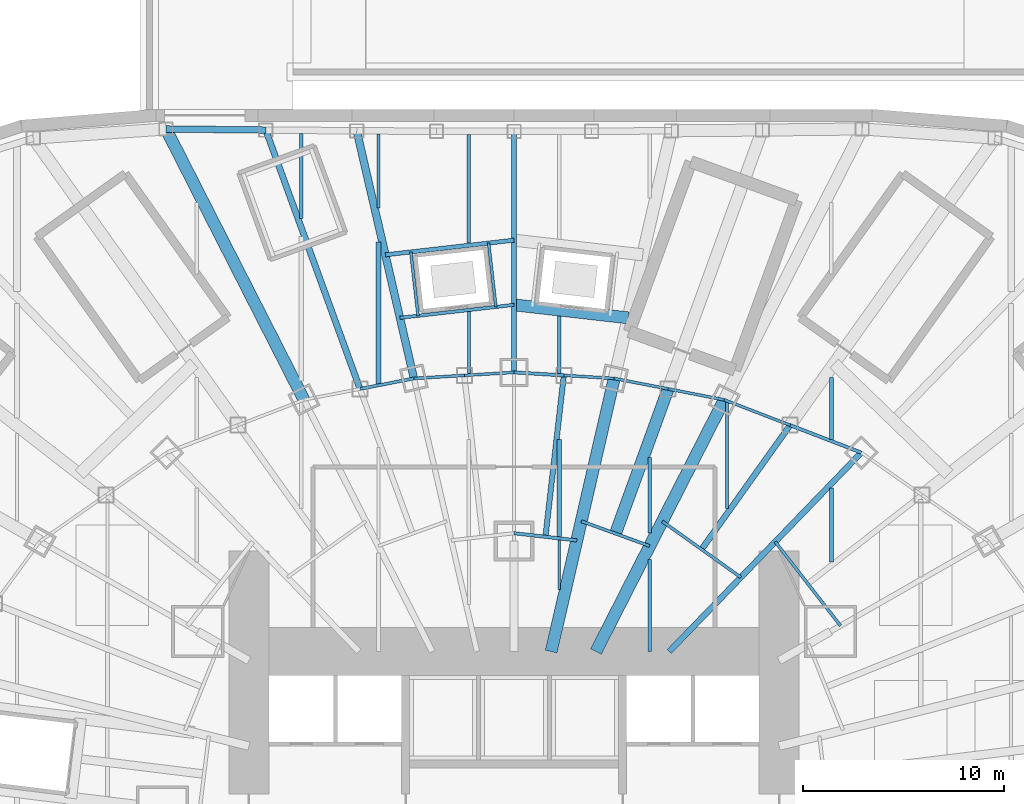
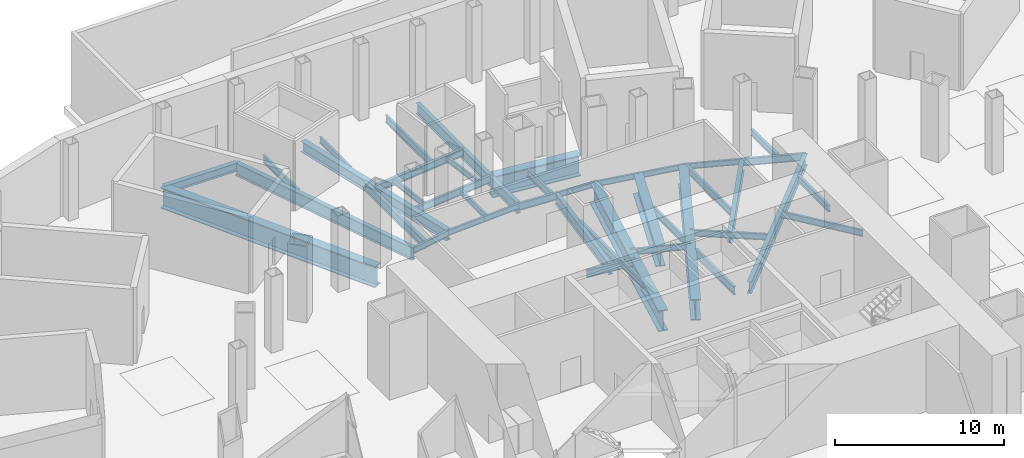
# One storey, part 6 of 19: 42 beams.
"""IFC4 building model written with IfcOpenShell, lengths in metres."""

from ifc_helpers import new_model, si_unit, direction, frame, origin, origin_2d, place, context, subcontext, project, spatial, i_section, extrude, material, material_profile, profile_set, type_object, element, save


model = new_model("IFC4")

# Units and contexts
model_context = context("Model", 3, precision=1e-05, world=origin(), true_north=direction((0.0, 1.0)))
body_context = subcontext(model_context, "Body", "Model", "MODEL_VIEW")
ifc_project = project(units=[si_unit("LENGTHUNIT", "METRE"), si_unit("AREAUNIT", "SQUARE_METRE"), si_unit("VOLUMEUNIT", "CUBIC_METRE"), si_unit("PLANEANGLEUNIT", "RADIAN"), si_unit("MASSUNIT", "GRAM", prefix="KILO")], contexts=[model_context])

# Site, building, storey
site_placement = place(None, origin())
site = spatial("IfcSite", under=ifc_project, at=site_placement, CompositionType="ELEMENT")
building_placement = place(site_placement, origin())
building = spatial("IfcBuilding", under=site, at=building_placement, Name="Lantaw Convention Tower", CompositionType="ELEMENT")
storey_placement = place(building_placement, frame((0.0, 0.0, -5.5)))
storey = spatial("IfcBuildingStorey", under=building, at=storey_placement, Name="B1", CompositionType="ELEMENT", Elevation=-5.5)

# Beams
ifc_material_1 = material(Name="Steel ASTM A992", Category="steel")
ifc_material_profile_1 = material_profile(ifc_material_1, i_section(OverallWidth=0.140380859375, OverallDepth=0.40380859375, WebThickness=0.007080078125, FlangeThickness=0.01123046875, FilletRadius=0.01025390625, at=origin_2d()), Name="W16X31")
ifc_profile_set_1 = profile_set([ifc_material_profile_1], Name="Steel ASTM A992")
beam_type_1 = type_object("IfcBeamType", Name="Beam E W16X31", PredefinedType="SPANDREL", material=ifc_profile_set_1)
beam_1_placement = place(storey_placement, frame((13.745361328125, 19.270263671875, -0.501953125), z_axis=(-0.933241815012, 0.359248820058, 0.0), x_axis=(-0.359248820058, -0.933241815012, 0.0)))
element("IfcBeam", 1, at=beam_1_placement, inside=storey, type_object=beam_type_1, Name="Edge beam 4", PredefinedType="SPANDREL", context=body_context, shape_type="SweptSolid", body=[
    extrude(i_section(OverallWidth=0.140380859375, OverallDepth=0.40380859375, WebThickness=0.007080078125, FlangeThickness=0.01123046875, FilletRadius=0.01025390625, at=origin_2d()), origin(), (0.0, 0.0, 1.0), 3.517578125),
])
beam_2_placement = place(storey_placement, frame((10.462646484375, 20.533935546875, -0.501953125), z_axis=(-0.98163593748, 0.190763954266, 0.0), x_axis=(-0.190763954266, -0.98163593748, 0.0)))
element("IfcBeam", 2, at=beam_2_placement, inside=storey, type_object=beam_type_1, Name="Edge beam 5", PredefinedType="SPANDREL", context=body_context, shape_type="SweptSolid", body=[
    extrude(i_section(OverallWidth=0.140380859375, OverallDepth=0.40380859375, WebThickness=0.007080078125, FlangeThickness=0.01123046875, FilletRadius=0.01025390625, at=origin_2d()), origin(), (0.0, 0.0, 1.0), 2.84375),
])
beam_3_placement = place(storey_placement, frame((7.671142578125, 21.076416015625, -0.501953125), z_axis=(-0.981637218105, 0.190757364289, 0.0), x_axis=(-0.190757364289, -0.981637218105, 0.0)))
element("IfcBeam", 3, at=beam_3_placement, inside=storey, type_object=beam_type_1, Name="Edge beam 5", PredefinedType="SPANDREL", context=body_context, shape_type="SweptSolid", body=[
    extrude(i_section(OverallWidth=0.140380859375, OverallDepth=0.40380859375, WebThickness=0.007080078125, FlangeThickness=0.01123046875, FilletRadius=0.01025390625, at=origin_2d()), origin(), (0.0, 0.0, 1.0), 2.735107421875),
])
beam_4_placement = place(storey_placement, frame((4.986328125, 21.59814453125, -0.501953125), z_axis=(-0.998172405641, 0.060430527186, 0.0), x_axis=(-0.060430527186, -0.998172405641, 0.0)))
element("IfcBeam", 4, at=beam_4_placement, inside=storey, type_object=beam_type_1, Name="Edge beam 6", PredefinedType="SPANDREL", context=body_context, shape_type="SweptSolid", body=[
    extrude(i_section(OverallWidth=0.140380859375, OverallDepth=0.40380859375, WebThickness=0.007080078125, FlangeThickness=0.01123046875, FilletRadius=0.01025390625, at=origin_2d()), origin(), (0.0, 0.0, 1.0), 2.512939453125),
])
beam_5_placement = place(storey_placement, frame((0.0, 21.89990234375, -0.501953125), z_axis=(-0.998175328335, -0.060382231685, 0.0), x_axis=(0.060382231685, -0.998175328335, 0.0)))
element("IfcBeam", 5, at=beam_5_placement, inside=storey, type_object=beam_type_1, Name="Edge beam 7", PredefinedType="SPANDREL", context=body_context, shape_type="SweptSolid", body=[
    extrude(i_section(OverallWidth=0.140380859375, OverallDepth=0.40380859375, WebThickness=0.007080078125, FlangeThickness=0.01123046875, FilletRadius=0.01025390625, at=origin_2d()), origin(), (0.0, 0.0, 1.0), 2.482666015625),
])
beam_6_placement = place(storey_placement, frame((-2.47802734375, 21.75, -0.501953125), z_axis=(-0.998172405641, -0.060430527186, 0.0), x_axis=(0.060430527186, -0.998172405641, 0.0)))
element("IfcBeam", 6, at=beam_6_placement, inside=storey, type_object=beam_type_1, Name="Edge beam 7", PredefinedType="SPANDREL", context=body_context, shape_type="SweptSolid", body=[
    extrude(i_section(OverallWidth=0.140380859375, OverallDepth=0.40380859375, WebThickness=0.007080078125, FlangeThickness=0.01123046875, FilletRadius=0.01025390625, at=origin_2d()), origin(), (0.0, 0.0, 1.0), 2.512939453125),
])
ifc_material_profile_2 = material_profile(ifc_material_1, i_section(OverallWidth=0.15234375, OverallDepth=0.449462890625, WebThickness=0.007568359375, FlangeThickness=0.0107421875, FilletRadius=0.01025390625, at=origin_2d()), Name="W18X35")
ifc_profile_set_2 = profile_set([ifc_material_profile_2], Name="Steel ASTM A992")
beam_type_2 = type_object("IfcBeamType", Name="Beam E W18X35", PredefinedType="SPANDREL", material=ifc_profile_set_2)
beam_7_placement = place(storey_placement, frame((-4.986328125, 21.59814453125, -0.52490234375), z_axis=(-0.981637218105, -0.190757364289, 0.0), x_axis=(0.190757364289, -0.981637218105, 0.0)))
element("IfcBeam", 7, at=beam_7_placement, inside=storey, type_object=beam_type_2, Name="Edge beam 8", PredefinedType="SPANDREL", context=body_context, shape_type="SweptSolid", body=[
    extrude(i_section(OverallWidth=0.15234375, OverallDepth=0.449462890625, WebThickness=0.007568359375, FlangeThickness=0.0107421875, FilletRadius=0.01025390625, at=origin_2d()), origin(), (0.0, 0.0, 1.0), 2.735107421875),
])
ifc_material_profile_3 = material_profile(ifc_material_1, i_section(OverallWidth=0.1650390625, OverallDepth=0.52587890625, WebThickness=0.0087890625, FlangeThickness=0.011474609375, FilletRadius=0.0126953125, at=origin_2d()), Name="W21X44")
ifc_profile_set_3 = profile_set([ifc_material_profile_3], Name="Steel ASTM A992")
beam_type_3 = type_object("IfcBeamType", Name="Beam E W21X44", PredefinedType="SPANDREL", material=ifc_profile_set_3)
beam_8_placement = place(storey_placement, frame((17.290771484375, 17.9052734375, -0.56298828125), z_axis=(-0.933224646415, 0.359293416754, 0.0), x_axis=(-0.359293416754, -0.933224646415, 0.0)))
element("IfcBeam", 8, at=beam_8_placement, inside=storey, type_object=beam_type_3, Name="Edge beam 4", PredefinedType="SPANDREL", context=body_context, shape_type="SweptSolid", body=[
    extrude(i_section(OverallWidth=0.1650390625, OverallDepth=0.52587890625, WebThickness=0.0087890625, FlangeThickness=0.011474609375, FilletRadius=0.0126953125, at=origin_2d()), origin(), (0.0, 0.0, 1.0), 3.799072265625),
])
beam_9_placement = place(storey_placement, frame((2.47802734375, 21.75, -0.56298828125), z_axis=(-0.998175328335, 0.060382231685, 0.0), x_axis=(-0.060382231685, -0.998175328335, 0.0)))
element("IfcBeam", 9, at=beam_9_placement, inside=storey, type_object=beam_type_3, Name="Edge beam 6", PredefinedType="SPANDREL", context=body_context, shape_type="SweptSolid", body=[
    extrude(i_section(OverallWidth=0.1650390625, OverallDepth=0.52587890625, WebThickness=0.0087890625, FlangeThickness=0.011474609375, FilletRadius=0.0126953125, at=origin_2d()), origin(), (0.0, 0.0, 1.0), 2.482666015625),
])
ifc_material_profile_4 = material_profile(ifc_material_1, i_section(OverallWidth=0.3251953125, OverallDepth=0.612060546875, WebThickness=0.0126953125, FlangeThickness=0.01904296875, FilletRadius=0.0126953125, at=origin_2d()), Name="W24X104")
ifc_profile_set_4 = profile_set([ifc_material_profile_4], Name="Steel ASTM A992")
beam_type_4 = type_object("IfcBeamType", Name="Beam E W24X104", PredefinedType="SPANDREL", material=ifc_profile_set_4)
beam_10_placement = place(storey_placement, frame((-12.36279296875, 33.96630859375, -0.60595703125), z_axis=(-0.999942166471, 0.010754706535, 0.0), x_axis=(-0.010754706535, -0.999942166471, 0.0)))
element("IfcBeam", 10, at=beam_10_placement, inside=storey, type_object=beam_type_4, Name="Podium edge beam B07", PredefinedType="SPANDREL", context=body_context, shape_type="SweptSolid", body=[
    extrude(i_section(OverallWidth=0.3251953125, OverallDepth=0.612060546875, WebThickness=0.0126953125, FlangeThickness=0.01904296875, FilletRadius=0.0126953125, at=origin_2d()), origin(), (0.0, 0.0, 1.0), 4.971435546875),
])
ifc_material_2 = material(Name="Steel ASTM A572 Grade 50", Category="steel")
ifc_material_profile_5 = material_profile(ifc_material_2, i_section(OverallWidth=0.60009765625, OverallDepth=1.5, WebThickness=0.02490234375, FlangeThickness=0.06005859375, at=origin_2d()), Name="PG1500X600X25X60")
ifc_profile_set_5 = profile_set([ifc_material_profile_5], Name="Steel ASTM A572 Grade 50")
beam_type_5 = type_object("IfcBeamType", Name="Beam G PG1500X600X25X60", PredefinedType="BEAM", material=ifc_profile_set_5)
beam_11_placement = place(storey_placement, frame((4.076171875, 8.0, -1.050048828125), z_axis=(0.453997016122, 0.891003203896, 0.0), x_axis=(-0.891003203896, 0.453997016122, 0.0)))
element("IfcBeam", 11, at=beam_11_placement, inside=storey, type_object=beam_type_5, Name="Floor girder on ray 5", PredefinedType="BEAM", context=body_context, shape_type="SweptSolid", body=[
    extrude(i_section(OverallWidth=0.60009765625, OverallDepth=1.5, WebThickness=0.02490234375, FlangeThickness=0.06005859375, at=origin_2d()), origin(), (0.0, 0.0, 1.0), 14.067138671875),
])
beam_12_placement = place(storey_placement, frame((5.04931640625, 13.873046875, -1.050048828125), z_axis=(0.342021781151, 0.939692024664, 0.0), x_axis=(-0.939692024664, 0.342021781151, 0.0)))
element("IfcBeam", 12, at=beam_12_placement, inside=storey, type_object=beam_type_5, Name="Floor girder on bisector 5", PredefinedType="BEAM", context=body_context, shape_type="SweptSolid", body=[
    extrude(i_section(OverallWidth=0.60009765625, OverallDepth=1.5, WebThickness=0.02490234375, FlangeThickness=0.06005859375, at=origin_2d()), origin(), (0.0, 0.0, 1.0), 7.665771484375),
])
beam_13_placement = place(storey_placement, frame((1.846923828125, 8.0, -1.050048828125), z_axis=(0.224952773175, 0.97436966796, 0.0), x_axis=(-0.97436966796, 0.224952773175, 0.0)))
element("IfcBeam", 13, at=beam_13_placement, inside=storey, type_object=beam_type_5, Name="Floor girder on ray 6", PredefinedType="BEAM", context=body_context, shape_type="SweptSolid", body=[
    extrude(i_section(OverallWidth=0.60009765625, OverallDepth=1.5, WebThickness=0.02490234375, FlangeThickness=0.06005859375, at=origin_2d()), origin(), (0.0, 0.0, 1.0), 13.955810546875),
])
ifc_material_profile_6 = material_profile(ifc_material_1, i_section(OverallWidth=0.2666015625, OverallDepth=0.76953125, WebThickness=0.015625, FlangeThickness=0.025390625, FilletRadius=0.0126953125, at=origin_2d()), Name="W30X132")
ifc_profile_set_6 = profile_set([ifc_material_profile_6], Name="Steel ASTM A992")
beam_type_6 = type_object("IfcBeamType", Name="Beam G W30X132", PredefinedType="BEAM", material=ifc_profile_set_6)
beam_14_placement = place(storey_placement, frame((1.5625, 13.713134765625, -0.684814453125), z_axis=(0.113183957156, 0.993574049501, 0.0), x_axis=(-0.993574049501, 0.113183957156, 0.0)))
element("IfcBeam", 14, at=beam_14_placement, inside=storey, type_object=beam_type_6, Name="Floor girder on bisector 6", PredefinedType="BEAM", context=body_context, shape_type="SweptSolid", body=[
    extrude(i_section(OverallWidth=0.2666015625, OverallDepth=0.76953125, WebThickness=0.015625, FlangeThickness=0.025390625, FilletRadius=0.0126953125, at=origin_2d()), origin(), (0.0, 0.0, 1.0), 8.0888671875),
])
ifc_material_profile_7 = material_profile(ifc_material_1, i_section(OverallWidth=0.2919921875, OverallDepth=0.845703125, WebThickness=0.015380859375, FlangeThickness=0.0244140625, FilletRadius=0.01513671875, at=origin_2d()), Name="W33X141")
ifc_profile_set_7 = profile_set([ifc_material_profile_7], Name="Steel ASTM A992")
beam_type_7 = type_object("IfcBeamType", Name="Beam G W33X141", PredefinedType="BEAM", material=ifc_profile_set_7)
beam_15_placement = place(storey_placement, frame((7.7255859375, 8.0, -0.722900390625), z_axis=(0.694649884291, 0.719347995239, 0.0), x_axis=(-0.719347995239, 0.694649884291, 0.0)))
element("IfcBeam", 15, at=beam_15_placement, inside=storey, type_object=beam_type_7, Name="Floor girder on ray 4", PredefinedType="BEAM", context=body_context, shape_type="SweptSolid", body=[
    extrude(i_section(OverallWidth=0.2919921875, OverallDepth=0.845703125, WebThickness=0.015380859375, FlangeThickness=0.0244140625, FilletRadius=0.01513671875, at=origin_2d()), origin(), (0.0, 0.0, 1.0), 13.769775390625),
])
beam_16_placement = place(storey_placement, frame((9.335693359375, 13.088134765625, -0.722900390625), z_axis=(0.580702805158, 0.814115625745, 0.0), x_axis=(-0.814115625745, 0.580702805158, 0.0)))
element("IfcBeam", 16, at=beam_16_placement, inside=storey, type_object=beam_type_7, Name="Floor girder on bisector 4", PredefinedType="BEAM", context=body_context, shape_type="SweptSolid", body=[
    extrude(i_section(OverallWidth=0.2919921875, OverallDepth=0.845703125, WebThickness=0.015380859375, FlangeThickness=0.0244140625, FilletRadius=0.01513671875, at=origin_2d()), origin(), (0.0, 0.0, 1.0), 7.59375),
])
ifc_material_profile_8 = material_profile(ifc_material_1, i_section(OverallWidth=0.15234375, OverallDepth=0.449462890625, WebThickness=0.007568359375, FlangeThickness=0.0107421875, FilletRadius=0.01025390625, at=origin_2d()), Name="W18X35")
ifc_profile_set_8 = profile_set([ifc_material_profile_8], Name="Steel ASTM A992")
beam_type_8 = type_object("IfcBeamType", Name="Beam HC W18X35", PredefinedType="BEAM", material=ifc_profile_set_8)
beam_17_placement = place(storey_placement, frame((16.2529296875, 9.287353515625, -0.52490234375), z_axis=(-0.613915067401, 0.789372085913, 0.0), x_axis=(-0.789372085913, -0.613915067401, 0.0)))
element("IfcBeam", 17, at=beam_17_placement, inside=storey, type_object=beam_type_8, Name="Collar beam on bisector 3", PredefinedType="BEAM", context=body_context, shape_type="SweptSolid", body=[
    extrude(i_section(OverallWidth=0.15234375, OverallDepth=0.449462890625, WebThickness=0.007568359375, FlangeThickness=0.0107421875, FilletRadius=0.01025390625, at=origin_2d()), origin(), (0.0, 0.0, 1.0), 5.293212890625),
])
beam_18_placement = place(storey_placement, frame((11.291748046875, 11.69287109375, -0.52490234375), z_axis=(-0.814110909588, 0.580709416912, 0.0), x_axis=(-0.580709416912, -0.814110909588, 0.0)))
element("IfcBeam", 18, at=beam_18_placement, inside=storey, type_object=beam_type_8, Name="Collar beam on bisector 4", PredefinedType="BEAM", context=body_context, shape_type="SweptSolid", body=[
    extrude(i_section(OverallWidth=0.15234375, OverallDepth=0.449462890625, WebThickness=0.007568359375, FlangeThickness=0.0107421875, FilletRadius=0.01025390625, at=origin_2d()), origin(), (0.0, 0.0, 1.0), 4.805419921875),
])
beam_19_placement = place(storey_placement, frame((6.752685546875, 13.253173828125, -0.52490234375), z_axis=(-0.939689171859, 0.342029619025, 0.0), x_axis=(-0.342029619025, -0.939689171859, 0.0)))
element("IfcBeam", 19, at=beam_19_placement, inside=storey, type_object=beam_type_8, Name="Collar beam on bisector 5", PredefinedType="BEAM", context=body_context, shape_type="SweptSolid", body=[
    extrude(i_section(OverallWidth=0.15234375, OverallDepth=0.449462890625, WebThickness=0.007568359375, FlangeThickness=0.0107421875, FilletRadius=0.01025390625, at=origin_2d()), origin(), (0.0, 0.0, 1.0), 3.62548828125),
])
ifc_material_profile_9 = material_profile(ifc_material_1, i_section(OverallWidth=0.165771484375, OverallDepth=0.5283203125, WebThickness=0.009765625, FlangeThickness=0.013671875, FilletRadius=0.012939453125, at=origin_2d()), Name="W21X50")
ifc_profile_set_9 = profile_set([ifc_material_profile_9], Name="Steel ASTM A992")
beam_type_9 = type_object("IfcBeamType", Name="Beam HC W21X50", PredefinedType="BEAM", material=ifc_profile_set_9)
beam_20_placement = place(storey_placement, frame((3.124755859375, 13.534912109375, -0.564208984375), z_axis=(-0.99356540907, 0.113259780595, 0.0), x_axis=(-0.113259780595, -0.99356540907, 0.0)))
element("IfcBeam", 20, at=beam_20_placement, inside=storey, type_object=beam_type_9, Name="Collar beam on bisector 6", PredefinedType="BEAM", context=body_context, shape_type="SweptSolid", body=[
    extrude(i_section(OverallWidth=0.165771484375, OverallDepth=0.5283203125, WebThickness=0.009765625, FlangeThickness=0.013671875, FilletRadius=0.012939453125, at=origin_2d()), origin(), (0.0, 0.0, 1.0), 3.14501953125),
])
ifc_material_profile_10 = material_profile(ifc_material_1, i_section(OverallWidth=0.140380859375, OverallDepth=0.40380859375, WebThickness=0.007080078125, FlangeThickness=0.01123046875, FilletRadius=0.01025390625, at=origin_2d()), Name="W16X31")
ifc_profile_set_10 = profile_set([ifc_material_profile_10], Name="Steel ASTM A992")
beam_type_10 = type_object("IfcBeamType", Name="Beam J W16X31", PredefinedType="JOIST", material=ifc_profile_set_10)
beam_21_placement = place(storey_placement, frame((-2.25, 21.833984375, -0.501953125), z_axis=(0.0, 1.0, 0.0), x_axis=(-1.0, 0.0, 0.0)))
element("IfcBeam", 21, at=beam_21_placement, inside=storey, type_object=beam_type_10, Name="Floor joist", PredefinedType="JOIST", context=body_context, shape_type="SweptSolid", body=[
    extrude(i_section(OverallWidth=0.140380859375, OverallDepth=0.40380859375, WebThickness=0.007080078125, FlangeThickness=0.01123046875, FilletRadius=0.01025390625, at=origin_2d()), origin(), (0.0, 0.0, 1.0), 3.0888671875),
])
beam_22_placement = place(storey_placement, frame((2.25, 11.079345703125, -0.501953125), z_axis=(0.0, 1.0, 0.0), x_axis=(-1.0, 0.0, 0.0)))
element("IfcBeam", 22, at=beam_22_placement, inside=storey, type_object=beam_type_10, Name="Floor joist", PredefinedType="JOIST", context=body_context, shape_type="SweptSolid", body=[
    extrude(i_section(OverallWidth=0.140380859375, OverallDepth=0.40380859375, WebThickness=0.007080078125, FlangeThickness=0.01123046875, FilletRadius=0.01025390625, at=origin_2d()), origin(), (0.0, 0.0, 1.0), 2.471923828125),
])
ifc_material_profile_11 = material_profile(ifc_material_1, i_section(OverallWidth=0.15234375, OverallDepth=0.449462890625, WebThickness=0.007568359375, FlangeThickness=0.0107421875, FilletRadius=0.01025390625, at=origin_2d()), Name="W18X35")
ifc_profile_set_11 = profile_set([ifc_material_profile_11], Name="Steel ASTM A992")
beam_type_11 = type_object("IfcBeamType", Name="Beam J W18X35", PredefinedType="JOIST", material=ifc_profile_set_11)
beam_23_placement = place(storey_placement, frame((-6.75, 30.084228515625, -0.52490234375), z_axis=(0.0, 1.0, 0.0), x_axis=(-1.0, 0.0, 0.0)))
element("IfcBeam", 23, at=beam_23_placement, inside=storey, type_object=beam_type_11, Name="Floor joist", PredefinedType="JOIST", context=body_context, shape_type="SweptSolid", body=[
    extrude(i_section(OverallWidth=0.15234375, OverallDepth=0.449462890625, WebThickness=0.007568359375, FlangeThickness=0.0107421875, FilletRadius=0.01025390625, at=origin_2d()), origin(), (0.0, 0.0, 1.0), 3.675537109375),
])
ifc_material_profile_12 = material_profile(ifc_material_1, i_section(OverallWidth=0.1904296875, OverallDepth=0.457275390625, WebThickness=0.009033203125, FlangeThickness=0.014404296875, FilletRadius=0.01025390625, at=origin_2d()), Name="W18X50")
ifc_profile_set_12 = profile_set([ifc_material_profile_12], Name="Steel ASTM A992")
beam_type_12 = type_object("IfcBeamType", Name="Beam J W18X50", PredefinedType="JOIST", material=ifc_profile_set_12)
beam_24_placement = place(storey_placement, frame((15.800048828125, 12.456787109375, -0.528564453125), z_axis=(0.0, 1.0, 0.0), x_axis=(-1.0, 0.0, 0.0)))
element("IfcBeam", 24, at=beam_24_placement, inside=storey, type_object=beam_type_12, Name="Floor joist", PredefinedType="JOIST", context=body_context, shape_type="SweptSolid", body=[
    extrude(i_section(OverallWidth=0.1904296875, OverallDepth=0.457275390625, WebThickness=0.009033203125, FlangeThickness=0.014404296875, FilletRadius=0.01025390625, at=origin_2d()), origin(), (0.0, 0.0, 1.0), 3.6943359375),
])
beam_25_placement = place(storey_placement, frame((15.800048828125, 18.567626953125, -0.528564453125), z_axis=(0.0, 1.0, 0.0), x_axis=(-1.0, 0.0, 0.0)))
element("IfcBeam", 25, at=beam_25_placement, inside=storey, type_object=beam_type_12, Name="Floor joist", PredefinedType="JOIST", context=body_context, shape_type="SweptSolid", body=[
    extrude(i_section(OverallWidth=0.1904296875, OverallDepth=0.457275390625, WebThickness=0.009033203125, FlangeThickness=0.014404296875, FilletRadius=0.01025390625, at=origin_2d()), origin(), (0.0, 0.0, 1.0), 3.066650390625),
])
ifc_material_profile_13 = material_profile(ifc_material_1, i_section(OverallWidth=0.1650390625, OverallDepth=0.52587890625, WebThickness=0.0087890625, FlangeThickness=0.011474609375, FilletRadius=0.0126953125, at=origin_2d()), Name="W21X44")
ifc_profile_set_13 = profile_set([ifc_material_profile_13], Name="Steel ASTM A992")
beam_type_13 = type_object("IfcBeamType", Name="Beam J W21X44", PredefinedType="JOIST", material=ifc_profile_set_13)
beam_26_placement = place(storey_placement, frame((-10.60009765625, 29.572509765625, -0.56298828125), z_axis=(0.0, 1.0, 0.0), x_axis=(-1.0, 0.0, 0.0)))
element("IfcBeam", 26, at=beam_26_placement, inside=storey, type_object=beam_type_13, Name="Floor joist", PredefinedType="JOIST", context=body_context, shape_type="SweptSolid", body=[
    extrude(i_section(OverallWidth=0.1650390625, OverallDepth=0.52587890625, WebThickness=0.0087890625, FlangeThickness=0.011474609375, FilletRadius=0.0126953125, at=origin_2d()), origin(), (0.0, 0.0, 1.0), 4.21630859375),
])
beam_27_placement = place(storey_placement, frame((6.75, 13.914794921875, -0.56298828125), z_axis=(0.0, 1.0, 0.0), x_axis=(-1.0, 0.0, 0.0)))
element("IfcBeam", 27, at=beam_27_placement, inside=storey, type_object=beam_type_13, Name="Floor joist", PredefinedType="JOIST", context=body_context, shape_type="SweptSolid", body=[
    extrude(i_section(OverallWidth=0.1650390625, OverallDepth=0.52587890625, WebThickness=0.0087890625, FlangeThickness=0.011474609375, FilletRadius=0.0126953125, at=origin_2d()), origin(), (0.0, 0.0, 1.0), 3.75341796875),
])
ifc_material_profile_14 = material_profile(ifc_material_1, i_section(OverallWidth=0.165771484375, OverallDepth=0.5283203125, WebThickness=0.009765625, FlangeThickness=0.013671875, FilletRadius=0.012939453125, at=origin_2d()), Name="W21X50")
ifc_profile_set_14 = profile_set([ifc_material_profile_14], Name="Steel ASTM A992")
beam_type_14 = type_object("IfcBeamType", Name="Beam J W21X50", PredefinedType="JOIST", material=ifc_profile_set_14)
beam_28_placement = place(storey_placement, frame((-2.25, 28.33203125, -0.564208984375), z_axis=(0.0, 1.0, 0.0), x_axis=(-1.0, 0.0, 0.0)))
element("IfcBeam", 28, at=beam_28_placement, inside=storey, type_object=beam_type_14, Name="Floor joist", PredefinedType="JOIST", context=body_context, shape_type="SweptSolid", body=[
    extrude(i_section(OverallWidth=0.165771484375, OverallDepth=0.5283203125, WebThickness=0.009765625, FlangeThickness=0.013671875, FilletRadius=0.012939453125, at=origin_2d()), origin(), (0.0, 0.0, 1.0), 5.409423828125),
])
beam_29_placement = place(storey_placement, frame((2.25, 21.846435546875, -0.564208984375), z_axis=(0.0, 1.0, 0.0), x_axis=(-1.0, 0.0, 0.0)))
element("IfcBeam", 29, at=beam_29_placement, inside=storey, type_object=beam_type_14, Name="Floor joist", PredefinedType="JOIST", context=body_context, shape_type="SweptSolid", body=[
    extrude(i_section(OverallWidth=0.165771484375, OverallDepth=0.5283203125, WebThickness=0.009765625, FlangeThickness=0.013671875, FilletRadius=0.012939453125, at=origin_2d()), origin(), (0.0, 0.0, 1.0), 2.857666015625),
])
beam_30_placement = place(storey_placement, frame((10.60009765625, 15.112060546875, -0.564208984375), z_axis=(0.0, 1.0, 0.0), x_axis=(-1.0, 0.0, 0.0)))
element("IfcBeam", 30, at=beam_30_placement, inside=storey, type_object=beam_type_14, Name="Floor joist", PredefinedType="JOIST", context=body_context, shape_type="SweptSolid", body=[
    extrude(i_section(OverallWidth=0.165771484375, OverallDepth=0.5283203125, WebThickness=0.009765625, FlangeThickness=0.013671875, FilletRadius=0.012939453125, at=origin_2d()), origin(), (0.0, 0.0, 1.0), 5.293701171875),
])
ifc_material_profile_15 = material_profile(ifc_material_1, i_section(OverallWidth=0.2099609375, OverallDepth=0.535888671875, WebThickness=0.010986328125, FlangeThickness=0.017333984375, FilletRadius=0.012939453125, at=origin_2d()), Name="W21X68")
ifc_profile_set_15 = profile_set([ifc_material_profile_15], Name="Steel ASTM A992")
beam_type_15 = type_object("IfcBeamType", Name="Beam J W21X68", PredefinedType="JOIST", material=ifc_profile_set_15)
beam_31_placement = place(storey_placement, frame((2.25, 13.71826171875, -0.56787109375), z_axis=(0.0, 1.0, 0.0), x_axis=(-1.0, 0.0, 0.0)))
element("IfcBeam", 31, at=beam_31_placement, inside=storey, type_object=beam_type_15, Name="Floor joist", PredefinedType="JOIST", context=body_context, shape_type="SweptSolid", body=[
    extrude(i_section(OverallWidth=0.2099609375, OverallDepth=0.535888671875, WebThickness=0.010986328125, FlangeThickness=0.017333984375, FilletRadius=0.012939453125, at=origin_2d()), origin(), (0.0, 0.0, 1.0), 4.851806640625),
])
ifc_material_profile_16 = material_profile(ifc_material_1, i_section(OverallWidth=0.177978515625, OverallDepth=0.599365234375, WebThickness=0.010009765625, FlangeThickness=0.012939453125, FilletRadius=0.012939453125, at=origin_2d()), Name="W24X55")
ifc_profile_set_16 = profile_set([ifc_material_profile_16], Name="Steel ASTM A992")
beam_type_16 = type_object("IfcBeamType", Name="Beam J W24X55", PredefinedType="JOIST", material=ifc_profile_set_16)
beam_32_placement = place(storey_placement, frame((6.75, 8.0, -0.599609375), z_axis=(0.0, 1.0, 0.0), x_axis=(-1.0, 0.0, 0.0)))
element("IfcBeam", 32, at=beam_32_placement, inside=storey, type_object=beam_type_16, Name="Floor joist", PredefinedType="JOIST", context=body_context, shape_type="SweptSolid", body=[
    extrude(i_section(OverallWidth=0.177978515625, OverallDepth=0.599365234375, WebThickness=0.010009765625, FlangeThickness=0.012939453125, FilletRadius=0.012939453125, at=origin_2d()), origin(), (0.0, 0.0, 1.0), 4.5869140625),
])
ifc_material_profile_17 = material_profile(ifc_material_1, i_section(OverallWidth=0.22900390625, OverallDepth=0.612060546875, WebThickness=0.011962890625, FlangeThickness=0.01953125, FilletRadius=0.0126953125, at=origin_2d()), Name="W24X84")
ifc_profile_set_17 = profile_set([ifc_material_profile_17], Name="Steel ASTM A992")
beam_type_17 = type_object("IfcBeamType", Name="Beam J W24X84", PredefinedType="JOIST", material=ifc_profile_set_17)
beam_33_placement = place(storey_placement, frame((-6.75, 21.3330078125, -0.60595703125), z_axis=(0.0, 1.0, 0.0), x_axis=(-1.0, 0.0, 0.0)))
element("IfcBeam", 33, at=beam_33_placement, inside=storey, type_object=beam_type_17, Name="Floor joist", PredefinedType="JOIST", context=body_context, shape_type="SweptSolid", body=[
    extrude(i_section(OverallWidth=0.22900390625, OverallDepth=0.612060546875, WebThickness=0.011962890625, FlangeThickness=0.01953125, FilletRadius=0.0126953125, at=origin_2d()), origin(), (0.0, 0.0, 1.0), 7.0576171875),
])
ifc_material_profile_18 = material_profile(ifc_material_2, i_section(OverallWidth=0.60009765625, OverallDepth=1.5, WebThickness=0.02490234375, FlangeThickness=0.06005859375, at=origin_2d()), Name="PG1500X600X25X60")
ifc_profile_set_18 = profile_set([ifc_material_profile_18], Name="Steel ASTM A572 Grade 50")
beam_type_18 = type_object("IfcBeamType", Name="Beam PG PG1500X600X25X60", PredefinedType="BEAM", material=ifc_profile_set_18)
beam_34_placement = place(storey_placement, frame((-10.462646484375, 20.533935546875, -1.050048828125), z_axis=(-0.453988364005, 0.891007612396, 0.0), x_axis=(-0.891007612396, -0.453988364005, 0.0)))
element("IfcBeam", 34, at=beam_34_placement, inside=storey, type_object=beam_type_18, Name="Podium girder PR09", PredefinedType="BEAM", context=body_context, shape_type="SweptSolid", body=[
    extrude(i_section(OverallWidth=0.60009765625, OverallDepth=1.5, WebThickness=0.02490234375, FlangeThickness=0.06005859375, at=origin_2d()), origin(), (0.0, 0.0, 1.0), 15.135498046875),
])
ifc_material_profile_19 = material_profile(ifc_material_1, i_section(OverallWidth=0.2666015625, OverallDepth=0.76953125, WebThickness=0.015625, FlangeThickness=0.025390625, FilletRadius=0.0126953125, at=origin_2d()), Name="W30X132")
ifc_profile_set_19 = profile_set([ifc_material_profile_19], Name="Steel ASTM A992")
beam_type_19 = type_object("IfcBeamType", Name="Beam PG W30X132", PredefinedType="BEAM", material=ifc_profile_set_19)
beam_35_placement = place(storey_placement, frame((0.0, 21.89990234375, -0.684814453125), z_axis=(0.0, 1.0, 0.0), x_axis=(-1.0, 0.0, 0.0)))
element("IfcBeam", 35, at=beam_35_placement, inside=storey, type_object=beam_type_19, Name="Podium girder PR07", PredefinedType="BEAM", context=body_context, shape_type="SweptSolid", body=[
    extrude(i_section(OverallWidth=0.2666015625, OverallDepth=0.76953125, WebThickness=0.015625, FlangeThickness=0.025390625, FilletRadius=0.0126953125, at=origin_2d()), origin(), (0.0, 0.0, 1.0), 12.0),
])
ifc_material_profile_20 = material_profile(ifc_material_1, i_section(OverallWidth=0.381103515625, OverallDepth=0.772216796875, WebThickness=0.0166015625, FlangeThickness=0.027099609375, FilletRadius=0.0146484375, at=origin_2d()), Name="W30X173")
ifc_profile_set_20 = profile_set([ifc_material_profile_20], Name="Steel ASTM A992")
beam_type_20 = type_object("IfcBeamType", Name="Beam PG W30X173", PredefinedType="BEAM", material=ifc_profile_set_20)
beam_36_placement = place(storey_placement, frame((-4.986328125, 21.59814453125, -0.68603515625), z_axis=(-0.224955319834, 0.974369080009, 0.0), x_axis=(-0.974369080009, -0.224955319834, 0.0)))
element("IfcBeam", 36, at=beam_36_placement, inside=storey, type_object=beam_type_20, Name="Podium girder PR08", PredefinedType="BEAM", context=body_context, shape_type="SweptSolid", body=[
    extrude(i_section(OverallWidth=0.381103515625, OverallDepth=0.772216796875, WebThickness=0.0166015625, FlangeThickness=0.027099609375, FilletRadius=0.0146484375, at=origin_2d()), origin(), (0.0, 0.0, 1.0), 12.654541015625),
])
ifc_material_profile_21 = material_profile(ifc_material_1, i_section(OverallWidth=0.307373046875, OverallDepth=0.922119140625, WebThickness=0.018310546875, FlangeThickness=0.030029296875, FilletRadius=0.0126953125, at=origin_2d()), Name="W36X182")
ifc_profile_set_21 = profile_set([ifc_material_profile_21], Name="Steel ASTM A992")
beam_type_21 = type_object("IfcBeamType", Name="Beam PG W36X182", PredefinedType="BEAM", material=ifc_profile_set_21)
beam_37_placement = place(storey_placement, frame((-7.671142578125, 21.076416015625, -0.760986328125), z_axis=(-0.342027428416, 0.939689969198, 0.0), x_axis=(-0.939689969198, -0.342027428416, 0.0)))
element("IfcBeam", 37, at=beam_37_placement, inside=storey, type_object=beam_type_21, Name="Podium girder PB08", PredefinedType="BEAM", context=body_context, shape_type="SweptSolid", body=[
    extrude(i_section(OverallWidth=0.307373046875, OverallDepth=0.922119140625, WebThickness=0.018310546875, FlangeThickness=0.030029296875, FilletRadius=0.0126953125, at=origin_2d()), origin(), (0.0, 0.0, 1.0), 13.71728515625),
])
ifc_material_profile_22 = material_profile(ifc_material_2, i_section(OverallWidth=0.60009765625, OverallDepth=1.5, WebThickness=0.02490234375, FlangeThickness=0.06005859375, at=origin_2d()), Name="PG1500X600X25X60")
ifc_profile_set_22 = profile_set([ifc_material_profile_22], Name="Steel ASTM A572 Grade 50")
beam_type_22 = type_object("IfcBeamType", Name="Beam TR PG1500X600X25X60", PredefinedType="BEAM", material=ifc_profile_set_22)
beam_38_placement = place(storey_placement, frame((5.682861328125, 24.614990234375, -1.050048828125), z_axis=(-0.99357223569, 0.11319987838, 0.0), x_axis=(-0.11319987838, -0.99357223569, 0.0)))
element("IfcBeam", 38, at=beam_38_placement, inside=storey, type_object=beam_type_22, Name="Opening trimmer beam", PredefinedType="BEAM", context=body_context, shape_type="SweptSolid", body=[
    extrude(i_section(OverallWidth=0.60009765625, OverallDepth=1.5, WebThickness=0.02490234375, FlangeThickness=0.06005859375, at=origin_2d()), origin(), (0.0, 0.0, 1.0), 5.7197265625),
])
ifc_material_profile_23 = material_profile(ifc_material_1, i_section(OverallWidth=0.140380859375, OverallDepth=0.40380859375, WebThickness=0.007080078125, FlangeThickness=0.01123046875, FilletRadius=0.01025390625, at=origin_2d()), Name="W16X31")
ifc_profile_set_23 = profile_set([ifc_material_profile_23], Name="Steel ASTM A992")
beam_type_23 = type_object("IfcBeamType", Name="Beam TR W16X31", PredefinedType="BEAM", material=ifc_profile_set_23)
beam_39_placement = place(storey_placement, frame((-4.77880859375, 24.718017578125, -0.501953125), z_axis=(-0.11322810814, 0.993569019005, 0.0), x_axis=(-0.993569019005, -0.11322810814, 0.0)))
element("IfcBeam", 39, at=beam_39_placement, inside=storey, type_object=beam_type_23, Name="Opening header beam", PredefinedType="BEAM", context=body_context, shape_type="SweptSolid", body=[
    extrude(i_section(OverallWidth=0.140380859375, OverallDepth=0.40380859375, WebThickness=0.007080078125, FlangeThickness=0.01123046875, FilletRadius=0.01025390625, at=origin_2d()), origin(), (0.0, 0.0, 1.0), 3.19970703125),
])
beam_40_placement = place(storey_placement, frame((-1.26611328125, 28.3388671875, -0.501953125), z_axis=(0.113144208648, -0.993578576686, 0.0), x_axis=(0.993578576686, 0.113144208648, 0.0)))
element("IfcBeam", 40, at=beam_40_placement, inside=storey, type_object=beam_type_23, Name="Opening header beam", PredefinedType="BEAM", context=body_context, shape_type="SweptSolid", body=[
    extrude(i_section(OverallWidth=0.140380859375, OverallDepth=0.40380859375, WebThickness=0.007080078125, FlangeThickness=0.01123046875, FilletRadius=0.01025390625, at=origin_2d()), origin(), (0.0, 0.0, 1.0), 3.199951171875),
])
ifc_material_profile_24 = material_profile(ifc_material_1, i_section(OverallWidth=0.1650390625, OverallDepth=0.52587890625, WebThickness=0.0087890625, FlangeThickness=0.011474609375, FilletRadius=0.0126953125, at=origin_2d()), Name="W21X44")
ifc_profile_set_24 = profile_set([ifc_material_profile_24], Name="Steel ASTM A992")
beam_type_24 = type_object("IfcBeamType", Name="Beam TR W21X44", PredefinedType="BEAM", material=ifc_profile_set_24)
beam_41_placement = place(storey_placement, frame((0.0, 25.262451171875, -0.56298828125), z_axis=(-0.99357223569, -0.11319987838, 0.0), x_axis=(0.11319987838, -0.99357223569, 0.0)))
element("IfcBeam", 41, at=beam_41_placement, inside=storey, type_object=beam_type_24, Name="Opening trimmer beam", PredefinedType="BEAM", context=body_context, shape_type="SweptSolid", body=[
    extrude(i_section(OverallWidth=0.1650390625, OverallDepth=0.52587890625, WebThickness=0.0087890625, FlangeThickness=0.011474609375, FilletRadius=0.0126953125, at=origin_2d()), origin(), (0.0, 0.0, 1.0), 5.7197265625),
])
ifc_material_profile_25 = material_profile(ifc_material_1, i_section(OverallWidth=0.209228515625, OverallDepth=0.533447265625, WebThickness=0.01025390625, FlangeThickness=0.015625, FilletRadius=0.012939453125, at=origin_2d()), Name="W21X62")
ifc_profile_set_25 = profile_set([ifc_material_profile_25], Name="Steel ASTM A992")
beam_type_25 = type_object("IfcBeamType", Name="Beam TR W21X62", PredefinedType="BEAM", material=ifc_profile_set_25)
beam_42_placement = place(storey_placement, frame((-6.4072265625, 27.753173828125, -0.566650390625), z_axis=(0.993572392644, 0.113198500762, 0.0), x_axis=(-0.113198500762, 0.993572392644, 0.0)))
element("IfcBeam", 42, at=beam_42_placement, inside=storey, type_object=beam_type_25, Name="Opening trimmer beam", PredefinedType="BEAM", context=body_context, shape_type="SweptSolid", body=[
    extrude(i_section(OverallWidth=0.209228515625, OverallDepth=0.533447265625, WebThickness=0.01025390625, FlangeThickness=0.015625, FilletRadius=0.012939453125, at=origin_2d()), origin(), (0.0, 0.0, 1.0), 6.44873046875),
])

save(model, "model.ifc")
